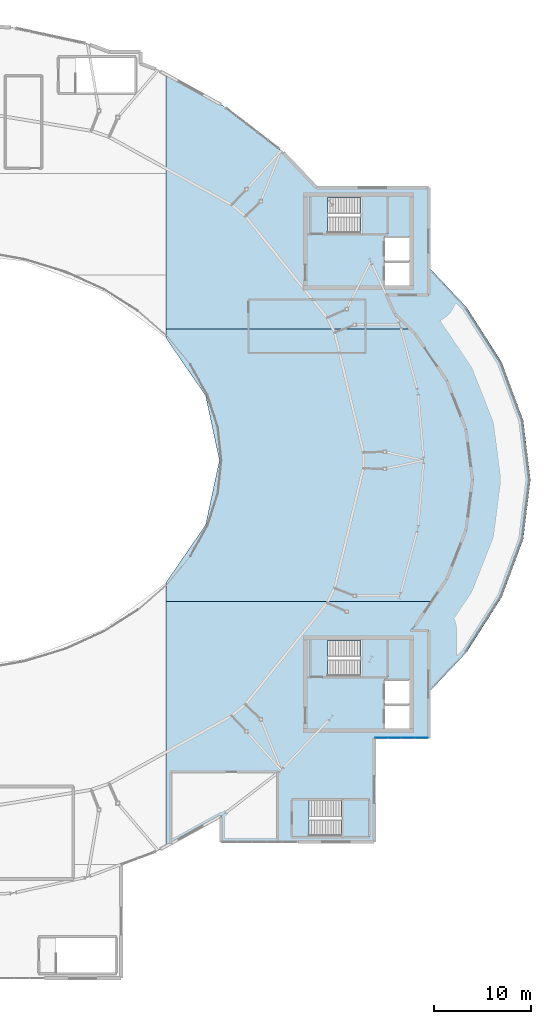
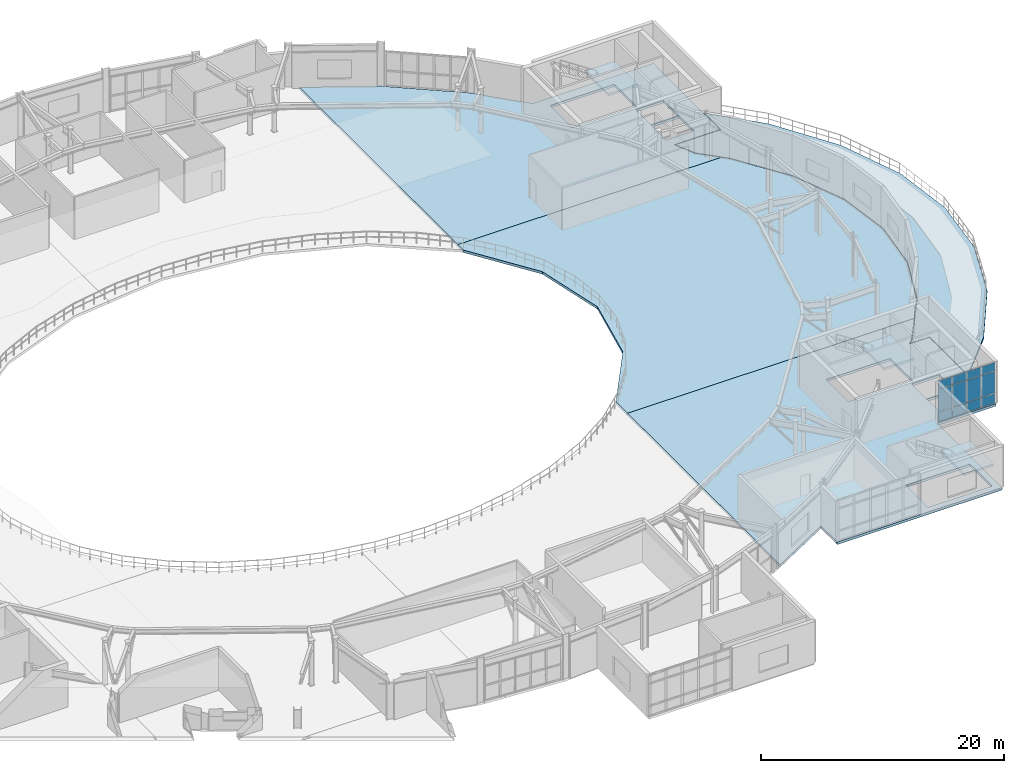
# One storey, part 35 of 48: 12 plates, 7 slabs, 4 elements without a shape of their own.
"""IFC4 building model written with IfcOpenShell, lengths in metres."""

from ifc_helpers import new_model, si_unit, direction, frame, origin, origin_2d, place, context, subcontext, project, spatial, polyline, rectangle, outline, extrude, material, layer, layer_set, type_object, element, aggregate, save


model = new_model("IFC4")

# Units and contexts
model_context = context("Model", 3, precision=1e-05, world=origin(), true_north=direction((0.0, 1.0)))
body_context = subcontext(model_context, "Body", "Model", "MODEL_VIEW")
ifc_project = project(units=[si_unit("LENGTHUNIT", "METRE"), si_unit("AREAUNIT", "SQUARE_METRE"), si_unit("VOLUMEUNIT", "CUBIC_METRE"), si_unit("PLANEANGLEUNIT", "RADIAN"), si_unit("MASSUNIT", "GRAM", prefix="KILO")], contexts=[model_context])

# Site, building, storey
site_placement = place(None, origin())
site = spatial("IfcSite", under=ifc_project, at=site_placement, CompositionType="ELEMENT")
building_placement = place(site_placement, origin())
building = spatial("IfcBuilding", under=site, at=building_placement, Name="Glasvene Arena", CompositionType="ELEMENT")
storey_placement = place(building_placement, frame((0.0, 0.0, 19.5)))
storey = spatial("IfcBuildingStorey", under=building, at=storey_placement, Name="L04", CompositionType="ELEMENT", Elevation=19.5)

# Curtain wall, plates
ifc_material_1 = material(Name="Low-emissivity laminated double glazing", Category="glass")
curtain_wall_type = type_object("IfcCurtainWallType", Name="CW-FAC-L04-552x419", PredefinedType="USERDEFINED", material=ifc_material_1)
curtain_wall_placement = place(storey_placement, frame((142.4599609375, 44.5, 0.0)))
curtain_wall = element("IfcCurtainWall", 1, at=curtain_wall_placement, inside=storey, type_object=curtain_wall_type, Name="Unitised curtain wall CW-F-L04-180-1397-445-46", ObjectType="CURTAIN WALL", PredefinedType="USERDEFINED")
ifc_layer_1 = layer(ifc_material_1, 0.028076171875)
ifc_layer_set_1 = layer_set([ifc_layer_1], Name="Low-emissivity laminated double glazing")
plate_type = type_object("IfcPlateType", Name="CW-GLZ-28", PredefinedType="CURTAIN_PANEL", material=ifc_layer_set_1)
plate_1_placement = place(storey_placement, frame((141.757568359375, 44.5, 0.10986328125), z_axis=(0.0, 0.0, 1.0), x_axis=(-1.0, 0.0, 0.0)))
plate_1 = element("IfcPlate", 2, at=plate_1_placement, type_object=plate_type, Name="CW-051 panel 1.1", PredefinedType="CURTAIN_PANEL", context=body_context, shape_type="SweptSolid", body=[
    extrude(rectangle(XDim=1.304931640625, YDim=0.028076171875, at=origin_2d()), origin(), (0.0, 0.0, 1.0), 0.965087890625),
])
plate_2_placement = place(storey_placement, frame((141.757568359375, 44.5, 1.125), z_axis=(0.0, 0.0, 1.0), x_axis=(-1.0, 0.0, 0.0)))
plate_2 = element("IfcPlate", 3, at=plate_2_placement, type_object=plate_type, Name="CW-051 panel 1.2", PredefinedType="CURTAIN_PANEL", context=body_context, shape_type="SweptSolid", body=[
    extrude(rectangle(XDim=1.304931640625, YDim=0.028076171875, at=origin_2d()), origin(), (0.0, 0.0, 1.0), 2.199951171875),
])
plate_3_placement = place(storey_placement, frame((141.757568359375, 44.5, 3.375), z_axis=(0.0, 0.0, 1.0), x_axis=(-1.0, 0.0, 0.0)))
plate_3 = element("IfcPlate", 4, at=plate_3_placement, type_object=plate_type, Name="CW-051 panel 1.3", PredefinedType="CURTAIN_PANEL", context=body_context, shape_type="SweptSolid", body=[
    extrude(rectangle(XDim=1.304931640625, YDim=0.028076171875, at=origin_2d()), origin(), (0.0, 0.0, 1.0), 0.824951171875),
])
plate_4_placement = place(storey_placement, frame((140.389892578125, 44.5, 0.10986328125), z_axis=(0.0, 0.0, 1.0), x_axis=(-1.0, 0.0, 0.0)))
plate_4 = element("IfcPlate", 5, at=plate_4_placement, type_object=plate_type, Name="CW-051 panel 2.1", PredefinedType="CURTAIN_PANEL", context=body_context, shape_type="SweptSolid", body=[
    extrude(rectangle(XDim=1.330078125, YDim=0.028076171875, at=origin_2d()), origin(), (0.0, 0.0, 1.0), 0.965087890625),
])
plate_5_placement = place(storey_placement, frame((140.389892578125, 44.5, 1.125), z_axis=(0.0, 0.0, 1.0), x_axis=(-1.0, 0.0, 0.0)))
plate_5 = element("IfcPlate", 6, at=plate_5_placement, type_object=plate_type, Name="CW-051 panel 2.2", PredefinedType="CURTAIN_PANEL", context=body_context, shape_type="SweptSolid", body=[
    extrude(rectangle(XDim=1.330078125, YDim=0.028076171875, at=origin_2d()), origin(), (0.0, 0.0, 1.0), 2.199951171875),
])
plate_6_placement = place(storey_placement, frame((140.389892578125, 44.5, 3.375), z_axis=(0.0, 0.0, 1.0), x_axis=(-1.0, 0.0, 0.0)))
plate_6 = element("IfcPlate", 7, at=plate_6_placement, type_object=plate_type, Name="CW-051 panel 2.3", PredefinedType="CURTAIN_PANEL", context=body_context, shape_type="SweptSolid", body=[
    extrude(rectangle(XDim=1.330078125, YDim=0.028076171875, at=origin_2d()), origin(), (0.0, 0.0, 1.0), 0.824951171875),
])
plate_7_placement = place(storey_placement, frame((139.010009765625, 44.5, 0.10986328125), z_axis=(0.0, 0.0, 1.0), x_axis=(-1.0, 0.0, 0.0)))
plate_7 = element("IfcPlate", 8, at=plate_7_placement, type_object=plate_type, Name="CW-051 panel 3.1", PredefinedType="CURTAIN_PANEL", context=body_context, shape_type="SweptSolid", body=[
    extrude(rectangle(XDim=1.330078125, YDim=0.028076171875, at=origin_2d()), origin(), (0.0, 0.0, 1.0), 0.965087890625),
])
plate_8_placement = place(storey_placement, frame((139.010009765625, 44.5, 1.125), z_axis=(0.0, 0.0, 1.0), x_axis=(-1.0, 0.0, 0.0)))
plate_8 = element("IfcPlate", 9, at=plate_8_placement, type_object=plate_type, Name="CW-051 panel 3.2", PredefinedType="CURTAIN_PANEL", context=body_context, shape_type="SweptSolid", body=[
    extrude(rectangle(XDim=1.330078125, YDim=0.028076171875, at=origin_2d()), origin(), (0.0, 0.0, 1.0), 2.199951171875),
])
plate_9_placement = place(storey_placement, frame((139.010009765625, 44.5, 3.375), z_axis=(0.0, 0.0, 1.0), x_axis=(-1.0, 0.0, 0.0)))
plate_9 = element("IfcPlate", 10, at=plate_9_placement, type_object=plate_type, Name="CW-051 panel 3.3", PredefinedType="CURTAIN_PANEL", context=body_context, shape_type="SweptSolid", body=[
    extrude(rectangle(XDim=1.330078125, YDim=0.028076171875, at=origin_2d()), origin(), (0.0, 0.0, 1.0), 0.824951171875),
])
plate_10_placement = place(storey_placement, frame((137.642578125, 44.5, 0.10986328125), z_axis=(0.0, 0.0, 1.0), x_axis=(-1.0, 0.0, 0.0)))
plate_10 = element("IfcPlate", 11, at=plate_10_placement, type_object=plate_type, Name="CW-051 panel 4.1", PredefinedType="CURTAIN_PANEL", context=body_context, shape_type="SweptSolid", body=[
    extrude(rectangle(XDim=1.304931640625, YDim=0.028076171875, at=origin_2d()), origin(), (0.0, 0.0, 1.0), 0.965087890625),
])
plate_11_placement = place(storey_placement, frame((137.642578125, 44.5, 1.125), z_axis=(0.0, 0.0, 1.0), x_axis=(-1.0, 0.0, 0.0)))
plate_11 = element("IfcPlate", 12, at=plate_11_placement, type_object=plate_type, Name="CW-051 panel 4.2", PredefinedType="CURTAIN_PANEL", context=body_context, shape_type="SweptSolid", body=[
    extrude(rectangle(XDim=1.304931640625, YDim=0.028076171875, at=origin_2d()), origin(), (0.0, 0.0, 1.0), 2.199951171875),
])
plate_12_placement = place(storey_placement, frame((137.642578125, 44.5, 3.375), z_axis=(0.0, 0.0, 1.0), x_axis=(-1.0, 0.0, 0.0)))
plate_12 = element("IfcPlate", 13, at=plate_12_placement, type_object=plate_type, Name="CW-051 panel 4.3", PredefinedType="CURTAIN_PANEL", context=body_context, shape_type="SweptSolid", body=[
    extrude(rectangle(XDim=1.304931640625, YDim=0.028076171875, at=origin_2d()), origin(), (0.0, 0.0, 1.0), 0.824951171875),
])
aggregate(curtain_wall, [plate_1, plate_2, plate_3, plate_4, plate_5, plate_6, plate_7, plate_8, plate_9, plate_10, plate_11, plate_12])

# Stair, slab
ifc_material_2 = material(Name="Concrete C40/50", Category="concrete")
stair_type = type_object("IfcStairType", Name="ST-HT-450-170", PredefinedType="HALF_TURN_STAIR", material=ifc_material_2)
stair_1_placement = place(storey_placement, origin())
stair_1 = element("IfcStair", 14, at=stair_1_placement, inside=storey, type_object=stair_type, Name="Protected escape stair ST-02 (L04 to L05)", PredefinedType="HALF_TURN_STAIR")
ifc_layer_2 = layer(ifc_material_2, 0.219970703125)
ifc_layer_set_2 = layer_set([ifc_layer_2], Name="Concrete C40/50")
slab_type_1 = type_object("IfcSlabType", Name="SL-LAND-220", PredefinedType="LANDING", material=ifc_layer_set_2)
slab_1_placement = place(storey_placement, frame((136.8798828125, 98.175048828125, 2.030029296875)))
slab_1 = element("IfcSlab", 15, at=slab_1_placement, type_object=slab_type_1, Name="Protected escape stair ST-02 (L04 to L05) landing 1", PredefinedType="LANDING", context=body_context, shape_type="SweptSolid", body=[
    extrude(outline(polyline([(-1.419921875, -1.925048828125), (1.420166015625, -1.925048828125), (1.420166015625, 1.925048828125), (-1.419921875, 1.925048828125), (-1.419921875, -1.925048828125)])), origin(), (0.0, 0.0, 1.0), 0.219970703125),
])
aggregate(stair_1, [slab_1])

stair_2_placement = place(storey_placement, origin())
stair_2 = element("IfcStair", 16, at=stair_2_placement, inside=storey, type_object=stair_type, Name="Protected escape stair ST-04 (L04 to L05)", PredefinedType="HALF_TURN_STAIR")
slab_2_placement = place(storey_placement, frame((136.8798828125, 52.675048828125, 2.030029296875)))
slab_2 = element("IfcSlab", 17, at=slab_2_placement, type_object=slab_type_1, Name="Protected escape stair ST-04 (L04 to L05) landing 1", PredefinedType="LANDING", context=body_context, shape_type="SweptSolid", body=[
    extrude(outline(polyline([(-1.419921875, -1.925048828125), (1.420166015625, -1.925048828125), (1.420166015625, 1.925048828125), (-1.419921875, 1.925048828125), (-1.419921875, -1.925048828125)])), origin(), (0.0, 0.0, 1.0), 0.219970703125),
])
aggregate(stair_2, [slab_2])

stair_3_placement = place(storey_placement, origin())
stair_3 = element("IfcStair", 18, at=stair_3_placement, inside=storey, type_object=stair_type, Name="Protected escape stair ST-06 (L04 to L05)", PredefinedType="HALF_TURN_STAIR")
slab_3_placement = place(storey_placement, frame((134.97998046875, 36.22509765625, 2.030029296875)))
slab_3 = element("IfcSlab", 19, at=slab_3_placement, type_object=slab_type_1, Name="Protected escape stair ST-06 (L04 to L05) landing 1", PredefinedType="LANDING", context=body_context, shape_type="SweptSolid", body=[
    extrude(outline(polyline([(-1.419921875, -1.925048828125), (1.419921875, -1.925048828125), (1.419921875, 1.9248046875), (-1.419921875, 1.9248046875), (-1.419921875, -1.925048828125)])), origin(), (0.0, 0.0, 1.0), 0.219970703125),
])
aggregate(stair_3, [slab_3])

# Slabs
ifc_layer_3 = layer(ifc_material_2, 0.25)
ifc_layer_set_3 = layer_set([ifc_layer_3], Name="Concrete C40/50")
slab_type_2 = type_object("IfcSlabType", Name="SL-TERR-250", PredefinedType="FLOOR", material=ifc_layer_set_3)
slab_4_placement = place(storey_placement, frame((144.603759765625, 72.27978515625, -0.25)))
element("IfcSlab", 20, at=slab_4_placement, inside=storey, type_object=slab_type_2, Name="Planted limestone terrace slab TR-L04-STEP3-2", PredefinedType="FLOOR", context=body_context, shape_type="SweptSolid", body=[
    extrude(outline(polyline([(5.412109375, 10.75634765625), (7.608154296875, 4.813232421875), (8.34619140625, -1.27978515625), (7.608154296875, -7.372802734375), (5.412109375, -13.31591796875), (1.81201171875, -18.962646484375), (-2.063720703125, -23.072021484375), (-2.063720703125, -16.77978515625), (-2.068359375, -16.760986328125), (-2.078369140625, -16.748779296875), (-2.092041015625, -16.741455078125), (-3.912353515625, -16.73974609375), (-3.461181640625, -16.289794921875), (-0.213623046875, -11.499755859375), (1.769775390625, -6.45361328125), (2.43603515625, -1.284912109375), (1.771240234375, 3.8876953125), (-0.20947265625, 8.932373046875), (-3.45849609375, 13.727294921875), (-5.55615234375, 15.819580078125), (-6.41259765625, 17.68017578125), (-2.103759765625, 17.68017578125), (-2.08837890625, 17.68310546875), (-2.07275390625, 17.69482421875), (-2.0654296875, 17.70849609375), (-2.063720703125, 20.512451171875), (1.81201171875, 16.403076171875), (5.412109375, 10.75634765625)])), origin(), (0.0, 0.0, 1.0), 0.25),
])
ifc_layer_4 = layer(ifc_material_2, 0.25)
ifc_layer_set_4 = layer_set([ifc_layer_4], Name="Concrete C40/50")
slab_type_3 = type_object("IfcSlabType", Name="SL-UPPER-250", PredefinedType="FLOOR", material=ifc_layer_set_4)
slab_5_placement = place(storey_placement, frame((132.427734375, 46.405029296875, -0.25)))
element("IfcSlab", 21, at=slab_5_placement, inside=storey, type_object=slab_type_3, Name="Structural floor slab L04 sector 2-5 (107)", PredefinedType="FLOOR", context=body_context, shape_type="SweptSolid", body=[
    extrude(outline(polyline([(8.1669921875, 9.094970703125), (10.072265625, 9.094970703125), (10.072265625, -1.905029296875), (4.47216796875, -1.905029296875), (4.47216796875, -12.60498046875), (-11.227783203125, -12.60498046875), (-11.227783203125, -9.915283203125), (-16.927734375, -13.058837890625), (-16.927734375, 12.094970703125), (10.36865234375, 12.094970703125), (8.686767578125, 9.61328125), (8.1669921875, 9.094970703125)]), holes=[polyline([(3.872314453125, -8.35498046875), (-2.225830078125, -8.35498046875), (-2.225830078125, -12.005126953125), (3.872314453125, -12.005126953125), (3.872314453125, -8.35498046875)]), polyline([(8.122314453125, -0.955078125), (8.122314453125, 1.494873046875), (5.47216796875, 1.494873046875), (5.47216796875, -0.955078125), (8.122314453125, -0.955078125)]), polyline([(8.122314453125, 1.594970703125), (8.122314453125, 4.044921875), (5.47216796875, 4.044921875), (5.47216796875, 1.594970703125), (8.122314453125, 1.594970703125)]), polyline([(5.772216796875, 8.094970703125), (-0.32568359375, 8.094970703125), (-0.32568359375, 4.445068359375), (5.772216796875, 4.445068359375), (5.772216796875, 8.094970703125)])]), origin(), (0.0, 0.0, 1.0), 0.25),
])
slab_6_placement = place(storey_placement, frame((131.670166015625, 73.0654296875, -0.25)))
element("IfcSlab", 22, at=slab_6_placement, inside=storey, type_object=slab_type_3, Name="Structural floor slab L04 sector 3-5 (110)", PredefinedType="FLOOR", context=body_context, shape_type="SweptSolid", body=[
    extrude(outline(polyline([(15.329833984375, -2.0654296875), (14.6650390625, -7.227783203125), (12.68701171875, -12.262939453125), (11.126220703125, -14.5654296875), (-16.170166015625, -14.5654296875), (-16.170166015625, -12.646728515625), (-12.089599609375, -6.709228515625), (-10.670166015625, -0.0654296875), (-12.089599609375, 6.578369140625), (-16.170166015625, 12.515869140625), (-16.170166015625, 13.4345703125), (8.924560546875, 13.4345703125), (9.4443359375, 12.916259765625), (12.68701171875, 8.132080078125), (14.6650390625, 3.096923828125), (15.329833984375, -2.0654296875)])), origin(), (0.0, 0.0, 1.0), 0.25),
])
slab_7_placement = place(storey_placement, frame((131.34619140625, 96.99560546875, -0.25)))
element("IfcSlab", 23, at=slab_7_placement, inside=storey, type_object=slab_type_3, Name="Structural floor slab L04 sector 4-5 (114)", PredefinedType="FLOOR", context=body_context, shape_type="SweptSolid", body=[
    extrude(outline(polyline([(-3.990966796875, 7.82421875), (-0.365966796875, 4.00439453125), (11.15380859375, 4.00439453125), (11.15380859375, -6.99560546875), (6.782470703125, -6.99560546875), (7.66796875, -8.91943359375), (9.24853515625, -10.49560546875), (-15.84619140625, -10.49560546875), (-15.84619140625, 15.658203125), (-9.956787109375, 12.41015625), (-3.990966796875, 7.82421875)]), holes=[polyline([(9.203857421875, -6.045654296875), (9.203857421875, -3.595703125), (6.5537109375, -3.595703125), (6.5537109375, -6.045654296875), (9.203857421875, -6.045654296875)]), polyline([(9.203857421875, -3.49560546875), (9.203857421875, -1.045654296875), (6.5537109375, -1.045654296875), (6.5537109375, -3.49560546875), (9.203857421875, -3.49560546875)]), polyline([(6.853759765625, 3.00439453125), (0.755859375, 3.00439453125), (0.755859375, -0.6455078125), (6.853759765625, -0.6455078125), (6.853759765625, 3.00439453125)])]), origin(), (0.0, 0.0, 1.0), 0.25),
])

save(model, "model.ifc")
